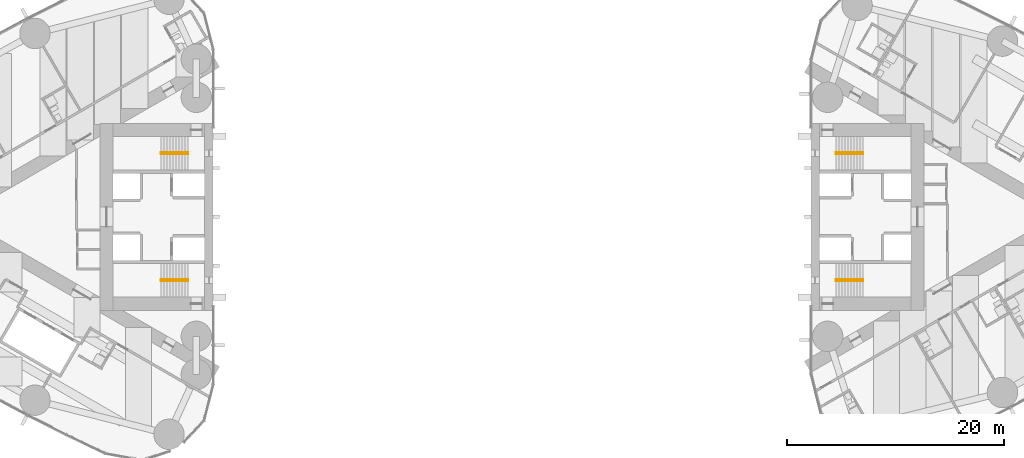
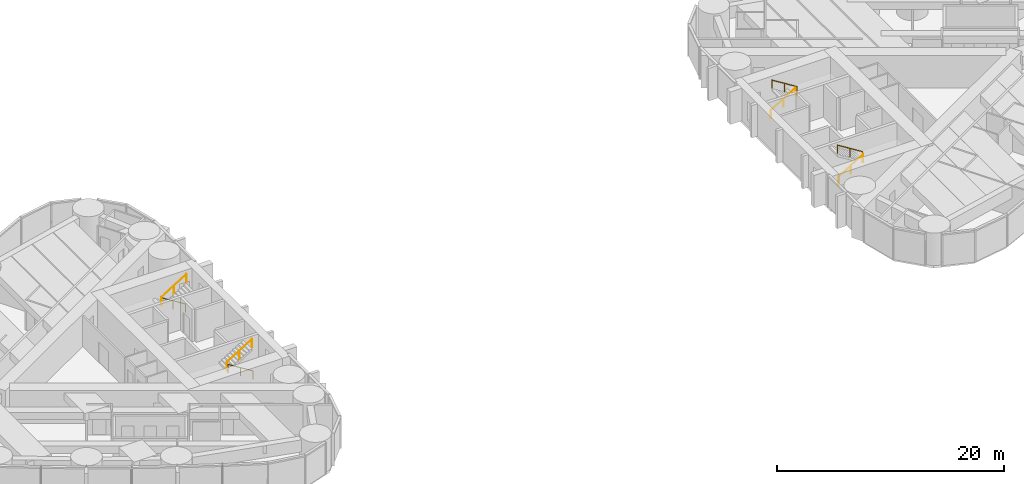
# One storey, part 18 of 19: 8 railings.
"""IFC4 building model written with IfcOpenShell, lengths in metres."""

import ifcopenshell
import ifcopenshell.guid

model = None  # the IFC model being written
_history = None  # IfcOwnerHistory: only IFC2X3 demands one
_inside = {}  # id of a spatial element -> (the spatial element, [elements in it])
_under = {}  # id of a project, library or spatial element -> (it, [spatial elements below it])
_declared = {}  # id of a project -> (the project, [libraries it declares])
_typed = {}  # id of a type object -> (the type object, [elements of that type])
_made_of = {}  # id of a material, layer set ... -> (it, [elements and type objects made of it])


def new_model(schema):
    """Start an empty IFC model of exactly this schema.

    Asked for "IFC4X3", IfcOpenShell would pick the latest addendum, in which some entities
    have other attributes; the version numbers below select the first issue.
    IFC2X3 requires an IfcOwnerHistory on every rooted entity: one is made here for all.
    """
    global model, _history
    if schema == "IFC4X3":
        model = ifcopenshell.file(schema_version=(4, 3, 0, 0))
    else:
        model = ifcopenshell.file(schema=schema)
    _inside.clear()
    _under.clear()
    _declared.clear()
    _typed.clear()
    _made_of.clear()
    _history = None
    if model.schema == "IFC2X3":
        org = make("IfcOrganization", Name="unknown")
        user = make(
            "IfcPersonAndOrganization",
            ThePerson=make("IfcPerson", FamilyName="unknown"),
            TheOrganization=org,
        )
        app = make(
            "IfcApplication",
            ApplicationDeveloper=org,
            Version="unknown",
            ApplicationFullName="unknown",
            ApplicationIdentifier="unknown",
        )
        _history = make(
            "IfcOwnerHistory",
            OwningUser=user,
            OwningApplication=app,
            ChangeAction="ADDED",
            CreationDate=0,
        )
    return model


def make(cls, **values):
    """One entity of the class cls with the attributes given. An attribute that is None is left unset."""
    return model.create_entity(
        cls, **{name: value for name, value in values.items() if value is not None}
    )


def rooted(cls, **values):
    """An entity with a GlobalId (a new one), such as an element, a storey or a relation."""
    return make(cls, GlobalId=ifcopenshell.guid.new(), OwnerHistory=_history, **values)


def si_unit(unit_type, name, prefix=None):
    """IfcSIUnit, for example si_unit("LENGTHUNIT", "METRE", prefix="MILLI")."""
    return make("IfcSIUnit", UnitType=unit_type, Prefix=prefix, Name=name)


def assignment(units):
    """IfcUnitAssignment: the units of a project."""
    return None if units is None else make("IfcUnitAssignment", Units=units)


def point(xyz):
    """IfcCartesianPoint."""
    return None if xyz is None else make("IfcCartesianPoint", Coordinates=xyz)


def direction(xyz):
    """IfcDirection."""
    return None if xyz is None else make("IfcDirection", DirectionRatios=xyz)


def frame(location, z_axis=None, x_axis=None):
    """IfcAxis2Placement3D, a coordinate frame: its origin and axes. An axis left out is left unset."""
    return make(
        "IfcAxis2Placement3D",
        Location=point(location),
        Axis=direction(z_axis),
        RefDirection=direction(x_axis),
    )


def frame_2d(location, x_axis=None):
    """IfcAxis2Placement2D, a coordinate frame in the plane: its origin and x axis."""
    return make(
        "IfcAxis2Placement2D", Location=point(location), RefDirection=direction(x_axis)
    )


def origin():
    """The frame at (0, 0, 0) with its axes left unset."""
    return frame((0.0, 0.0, 0.0))


def origin_2d():
    """The frame at (0, 0) in the plane with its x axis left unset."""
    return frame_2d((0.0, 0.0))


def place(relative_to, where):
    """IfcLocalPlacement: puts the frame where relative to a parent placement (None: the world)."""
    return make(
        "IfcLocalPlacement", PlacementRelTo=relative_to, RelativePlacement=where
    )


def context(
    kind, dimensions, precision=None, world=None, true_north=None, identifier=None
):
    """IfcGeometricRepresentationContext, for example the 3D "Model" context."""
    return make(
        "IfcGeometricRepresentationContext",
        ContextIdentifier=identifier,
        ContextType=kind,
        CoordinateSpaceDimension=dimensions,
        Precision=precision,
        WorldCoordinateSystem=world,
        TrueNorth=true_north,
    )


def subcontext(parent, identifier, kind, view, scale=None):
    """IfcGeometricRepresentationSubContext, for example "Body" below "Model"."""
    return make(
        "IfcGeometricRepresentationSubContext",
        ContextIdentifier=identifier,
        ContextType=kind,
        ParentContext=parent,
        TargetScale=scale,
        TargetView=view,
    )


def project(units=None, contexts=None):
    """IfcProject with its units and contexts."""
    return rooted(
        "IfcProject",
        Name="project",
        RepresentationContexts=contexts,
        UnitsInContext=assignment(units),
    )


def spatial(cls, under=None, at=None, **own):
    """A site, building, storey or space (cls), placed at a placement, below another one or the project."""
    s = rooted(cls, ObjectPlacement=at, **own)
    if under is not None:
        _under.setdefault(under.id(), (under, []))[1].append(s)
    return s


def profile(cls, at=None, kind="AREA", **sizes):
    """A parametric profile (cls). Its sizes go by their IFC names, for example OverallWidth=200.0."""
    return make(cls, ProfileType=kind, Position=at, **sizes)


def circle(**sizes):
    """IfcCircleProfileDef."""
    return profile("IfcCircleProfileDef", **sizes)


def extrude(swept, where, along, depth):
    """IfcExtrudedAreaSolid: the profile swept, set in the frame where, extruded along a direction by depth."""
    return make(
        "IfcExtrudedAreaSolid",
        SweptArea=swept,
        Position=where,
        ExtrudedDirection=direction(along),
        Depth=depth,
    )


def shape(context_of_items, identifier, shape_type, items):
    """IfcShapeRepresentation: the items that make up one representation, for example the "Body"."""
    return make(
        "IfcShapeRepresentation",
        ContextOfItems=context_of_items,
        RepresentationIdentifier=identifier,
        RepresentationType=shape_type,
        Items=items,
    )


def material(Name=None, Category=None):
    """IfcMaterial."""
    return make("IfcMaterial", Name=Name, Category=Category)


def made_of(thing, what):
    """Note that an element or type object is made of a material, layer set ...; save() writes the relation."""
    if what is not None:
        _made_of.setdefault(what.id(), (what, []))[1].append(thing)
    return thing


def type_object(cls, material=None, **own):
    """A type object (cls), such as IfcWallType, which elements share."""
    return made_of(rooted(cls, **own), material)


def element(
    cls,
    number,
    at=None,
    inside=None,
    cuts=None,
    type_object=None,
    material=None,
    context=None,
    identifier="Body",
    shape_type=None,
    held_by="IfcProductDefinitionShape",
    body=None,
    shapes=None,
    **own,
):
    """One element of the class cls, such as IfcWall. Its Tag is "e" and its number.

    at: its placement. inside: the storey or other place that contains it. cuts: it is an
    opening in that element (IfcRelVoidsElement). A single representation is given by context,
    identifier, shape_type and body (its items); several are given by shapes. held_by: the class
    of the entity that holds the representations. save() writes the other relations.
    """
    e = rooted(cls, Tag="e%d" % number, ObjectPlacement=at, **own)
    if body is not None:
        shapes = [shape(context, identifier, shape_type, body)]
    if shapes is not None:
        e.Representation = make(held_by, Representations=shapes)
    if inside is not None:
        _inside.setdefault(inside.id(), (inside, []))[1].append(e)
    if cuts is not None:
        rooted(
            "IfcRelVoidsElement", RelatingBuildingElement=cuts, RelatedOpeningElement=e
        )
    if type_object is not None:
        _typed.setdefault(type_object.id(), (type_object, []))[1].append(e)
    return made_of(e, material)


def aggregate(whole, parts):
    """IfcRelAggregates: a whole, such as a stair, and the parts it consists of."""
    return rooted("IfcRelAggregates", RelatingObject=whole, RelatedObjects=parts)


def save(model, path):
    """Write the relations noted so far, then the file.

    IfcRelAggregates (storeys below a building ...), IfcRelContainedInSpatialStructure (elements
    in a storey), IfcRelDefinesByType, IfcRelAssociatesMaterial and IfcRelDeclares: one each for
    every whole, place, type object, material and project.
    """
    for whole, parts in _under.values():
        aggregate(whole, parts)
    for where, things in _inside.values():
        rooted(
            "IfcRelContainedInSpatialStructure",
            RelatedElements=things,
            RelatingStructure=where,
        )
    for kind, things in _typed.values():
        rooted("IfcRelDefinesByType", RelatedObjects=things, RelatingType=kind)
    for what, things in _made_of.values():
        rooted("IfcRelAssociatesMaterial", RelatedObjects=things, RelatingMaterial=what)
    for by, libraries in _declared.values():
        rooted("IfcRelDeclares", RelatingContext=by, RelatedDefinitions=libraries)
    model.write(path)


model = new_model("IFC4")

# Units and contexts
model_context = context("Model", 3, precision=1e-05, world=origin(), true_north=direction((0.0, 1.0)))
body_context = subcontext(model_context, "Body", "Model", "MODEL_VIEW")
ifc_project = project(units=[si_unit("LENGTHUNIT", "METRE"), si_unit("AREAUNIT", "SQUARE_METRE"), si_unit("VOLUMEUNIT", "CUBIC_METRE"), si_unit("PLANEANGLEUNIT", "RADIAN"), si_unit("MASSUNIT", "GRAM", prefix="KILO")], contexts=[model_context])

# Site, building, storey
site_placement = place(None, origin())
site = spatial("IfcSite", under=ifc_project, at=site_placement, CompositionType="ELEMENT")
building_placement = place(site_placement, origin())
building = spatial("IfcBuilding", under=site, at=building_placement, Name="Lancet Gate Hotel", CompositionType="ELEMENT")
storey_placement = place(building_placement, frame((0.0, 0.0, 198.300048828125)))
storey = spatial("IfcBuildingStorey", under=building, at=storey_placement, Name="L53", CompositionType="ELEMENT", Elevation=198.300048828125)

# Railings
ifc_material = material(Name="Stainless steel handrail", Category="steel")
railing_type = type_object("IfcRailingType", Name="Stair handrail 900", PredefinedType="HANDRAIL", material=ifc_material)
railing_1_placement = place(storey_placement, frame((-29.800048828125, 5.929931640625, 0.175048828125)))
element("IfcRailing", 1, at=railing_1_placement, inside=storey, type_object=railing_type, Name="ST1 handrail flight 1 L53", PredefinedType="HANDRAIL", context=body_context, shape_type="SweptSolid", body=[
    extrude(circle(Radius=0.02392578125, at=origin_2d()), frame((0.0, 0.0, 0.8759765625), z_axis=(-0.848007534815, 0.0, 0.529984170421), x_axis=(0.0, -1.0, 0.0)), (0.0, 0.0, 1.0), 2.9716796875),
    extrude(circle(Radius=0.02099609375, at=origin_2d()), origin(), (0.0, 0.0, 1.0), 0.851806640625),
    extrude(circle(Radius=0.02099609375, at=origin_2d()), frame((-1.260009765625, 0.0, 0.78759765625)), (0.0, 0.0, 1.0), 0.851806640625),
    extrude(circle(Radius=0.02099609375, at=origin_2d()), frame((-2.52001953125, 0.0, 1.574951171875)), (0.0, 0.0, 1.0), 0.851806640625),
])
railing_2_placement = place(storey_placement, frame((-32.320068359375, 5.77001953125, 1.925048828125)))
element("IfcRailing", 2, at=railing_2_placement, inside=storey, type_object=railing_type, Name="ST1 handrail flight 2 L53", PredefinedType="HANDRAIL", context=body_context, shape_type="SweptSolid", body=[
    extrude(circle(Radius=0.02392578125, at=origin_2d()), frame((0.0, 0.0, 0.8759765625), z_axis=(0.848007534815, 0.0, 0.529984170421), x_axis=(0.0, 1.0, 0.0)), (0.0, 0.0, 1.0), 2.9716796875),
    extrude(circle(Radius=0.02099609375, at=origin_2d()), origin(), (0.0, 0.0, 1.0), 0.851806640625),
    extrude(circle(Radius=0.02099609375, at=origin_2d()), frame((1.260009765625, 0.0, 0.78759765625)), (0.0, 0.0, 1.0), 0.851806640625),
    extrude(circle(Radius=0.02099609375, at=origin_2d()), frame((2.52001953125, 0.0, 1.574951171875)), (0.0, 0.0, 1.0), 0.851806640625),
])
railing_3_placement = place(storey_placement, frame((-29.800048828125, -5.929931640625, 0.175048828125)))
element("IfcRailing", 3, at=railing_3_placement, inside=storey, type_object=railing_type, Name="ST2 handrail flight 1 L53", PredefinedType="HANDRAIL", context=body_context, shape_type="SweptSolid", body=[
    extrude(circle(Radius=0.02392578125, at=origin_2d()), frame((0.0, 0.0, 0.8759765625), z_axis=(-0.848007534815, 0.0, 0.529984170421), x_axis=(0.0, -1.0, 0.0)), (0.0, 0.0, 1.0), 2.9716796875),
    extrude(circle(Radius=0.02099609375, at=origin_2d()), origin(), (0.0, 0.0, 1.0), 0.851806640625),
    extrude(circle(Radius=0.02099609375, at=origin_2d()), frame((-1.260009765625, 0.0, 0.78759765625)), (0.0, 0.0, 1.0), 0.851806640625),
    extrude(circle(Radius=0.02099609375, at=origin_2d()), frame((-2.52001953125, 0.0, 1.574951171875)), (0.0, 0.0, 1.0), 0.851806640625),
])
for number, where, name in (
    (4, (-32.320068359375, -5.77001953125, 1.925048828125), "ST2 handrail flight 2 L53"),
    (5, (29.800048828125, -5.929931640625, 0.175048828125), "ST3 handrail flight 1 L53"),
):
    element("IfcRailing", number, at=place(storey_placement, frame(where)), inside=storey, type_object=railing_type, Name=name, PredefinedType="HANDRAIL", context=body_context, shape_type="SweptSolid", body=[
        extrude(circle(Radius=0.02392578125, at=origin_2d()), frame((0.0, 0.0, 0.8759765625), z_axis=(0.848007534815, 0.0, 0.529984170421), x_axis=(0.0, 1.0, 0.0)), (0.0, 0.0, 1.0), 2.9716796875),
        extrude(circle(Radius=0.02099609375, at=origin_2d()), origin(), (0.0, 0.0, 1.0), 0.851806640625),
        extrude(circle(Radius=0.02099609375, at=origin_2d()), frame((1.260009765625, 0.0, 0.78759765625)), (0.0, 0.0, 1.0), 0.851806640625),
        extrude(circle(Radius=0.02099609375, at=origin_2d()), frame((2.52001953125, 0.0, 1.574951171875)), (0.0, 0.0, 1.0), 0.851806640625),
    ])
railing_4_placement = place(storey_placement, frame((32.320068359375, -5.77001953125, 1.925048828125)))
element("IfcRailing", 6, at=railing_4_placement, inside=storey, type_object=railing_type, Name="ST3 handrail flight 2 L53", PredefinedType="HANDRAIL", context=body_context, shape_type="SweptSolid", body=[
    extrude(circle(Radius=0.02392578125, at=origin_2d()), frame((0.0, 0.0, 0.8759765625), z_axis=(-0.848007534815, 0.0, 0.529984170421), x_axis=(0.0, -1.0, 0.0)), (0.0, 0.0, 1.0), 2.9716796875),
    extrude(circle(Radius=0.02099609375, at=origin_2d()), origin(), (0.0, 0.0, 1.0), 0.851806640625),
    extrude(circle(Radius=0.02099609375, at=origin_2d()), frame((-1.260009765625, 0.0, 0.78759765625)), (0.0, 0.0, 1.0), 0.851806640625),
    extrude(circle(Radius=0.02099609375, at=origin_2d()), frame((-2.52001953125, 0.0, 1.574951171875)), (0.0, 0.0, 1.0), 0.851806640625),
])
railing_5_placement = place(storey_placement, frame((29.800048828125, 5.929931640625, 0.175048828125)))
element("IfcRailing", 7, at=railing_5_placement, inside=storey, type_object=railing_type, Name="ST4 handrail flight 1 L53", PredefinedType="HANDRAIL", context=body_context, shape_type="SweptSolid", body=[
    extrude(circle(Radius=0.02392578125, at=origin_2d()), frame((0.0, 0.0, 0.8759765625), z_axis=(0.848007534815, 0.0, 0.529984170421), x_axis=(0.0, 1.0, 0.0)), (0.0, 0.0, 1.0), 2.9716796875),
    extrude(circle(Radius=0.02099609375, at=origin_2d()), origin(), (0.0, 0.0, 1.0), 0.851806640625),
    extrude(circle(Radius=0.02099609375, at=origin_2d()), frame((1.260009765625, 0.0, 0.78759765625)), (0.0, 0.0, 1.0), 0.851806640625),
    extrude(circle(Radius=0.02099609375, at=origin_2d()), frame((2.52001953125, 0.0, 1.574951171875)), (0.0, 0.0, 1.0), 0.851806640625),
])
railing_6_placement = place(storey_placement, frame((32.320068359375, 5.77001953125, 1.925048828125)))
element("IfcRailing", 8, at=railing_6_placement, inside=storey, type_object=railing_type, Name="ST4 handrail flight 2 L53", PredefinedType="HANDRAIL", context=body_context, shape_type="SweptSolid", body=[
    extrude(circle(Radius=0.02392578125, at=origin_2d()), frame((0.0, 0.0, 0.8759765625), z_axis=(-0.848007534815, 0.0, 0.529984170421), x_axis=(0.0, -1.0, 0.0)), (0.0, 0.0, 1.0), 2.9716796875),
    extrude(circle(Radius=0.02099609375, at=origin_2d()), origin(), (0.0, 0.0, 1.0), 0.851806640625),
    extrude(circle(Radius=0.02099609375, at=origin_2d()), frame((-1.260009765625, 0.0, 0.78759765625)), (0.0, 0.0, 1.0), 0.851806640625),
    extrude(circle(Radius=0.02099609375, at=origin_2d()), frame((-2.52001953125, 0.0, 1.574951171875)), (0.0, 0.0, 1.0), 0.851806640625),
])

save(model, "model.ifc")
